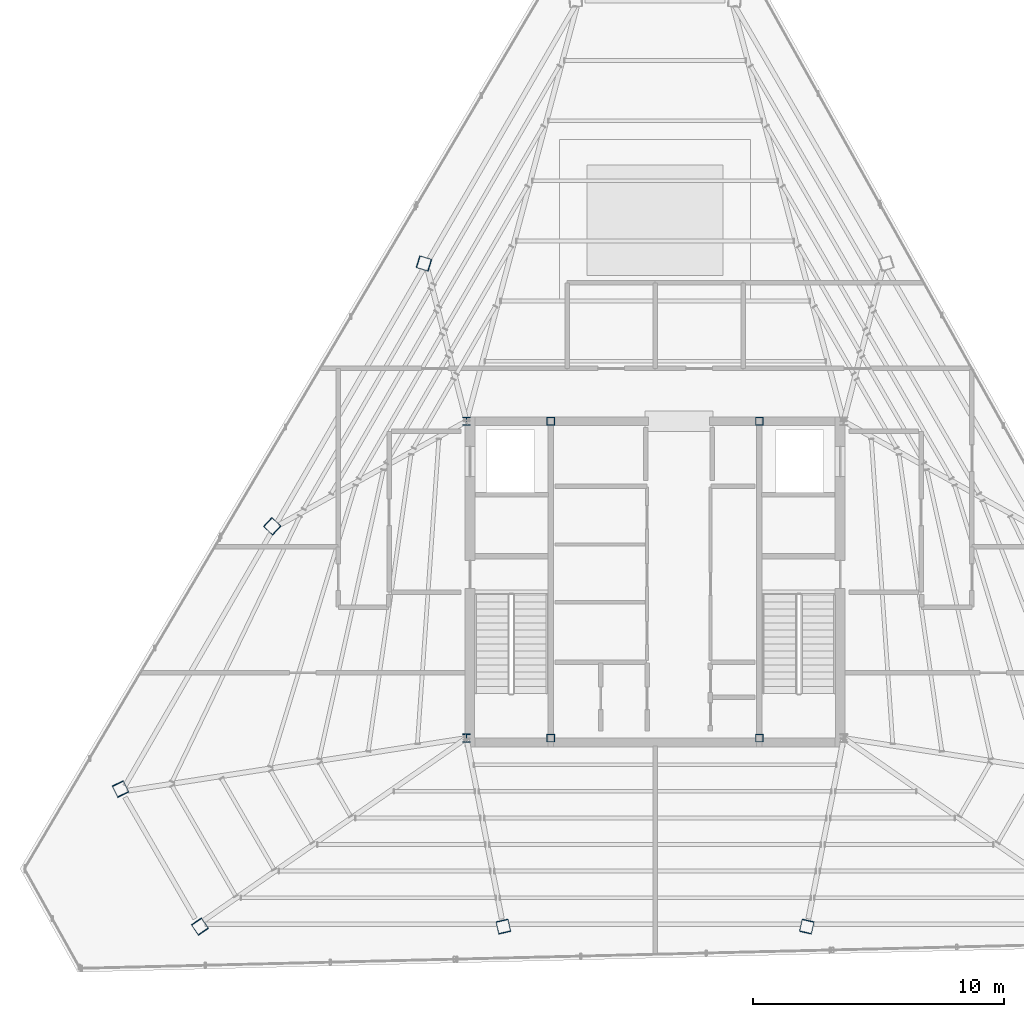
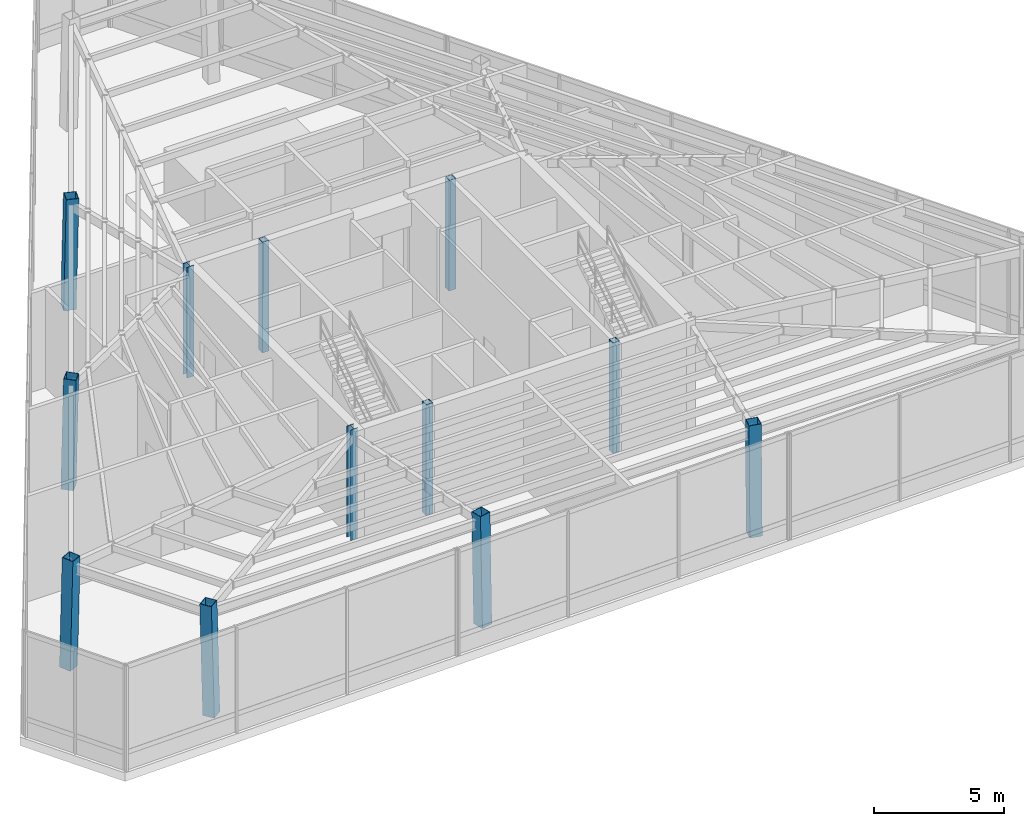
# One storey, part 1 of 25: 12 columns.
"""IFC4 building model written with IfcOpenShell, lengths in metres."""

from ifc_helpers import new_model, si_unit, direction, frame, origin, origin_2d, place, context, subcontext, project, spatial, hollow_rectangle, i_section, extrude, source, transform, mapped, material, material_profile, profile_set, type_object, type_shapes, element, save


model = new_model("IFC4")

# Units and contexts
model_context = context("Model", 3, precision=1e-05, world=origin(), true_north=direction((0.0, 1.0)))
body_context = subcontext(model_context, "Body", "Model", "MODEL_VIEW")
ifc_project = project(units=[si_unit("LENGTHUNIT", "METRE"), si_unit("AREAUNIT", "SQUARE_METRE"), si_unit("VOLUMEUNIT", "CUBIC_METRE"), si_unit("PLANEANGLEUNIT", "RADIAN"), si_unit("MASSUNIT", "GRAM", prefix="KILO")], contexts=[model_context])

# Site, building, storey
site_placement = place(None, origin())
site = spatial("IfcSite", under=ifc_project, at=site_placement, CompositionType="ELEMENT")
building_placement = place(site_placement, origin())
building = spatial("IfcBuilding", under=site, at=building_placement, Name="Caelisora Broadcast Tower", CompositionType="ELEMENT")
storey_placement = place(building_placement, frame((0.0, 0.0, 284.60009765625)))
storey = spatial("IfcBuildingStorey", under=building, at=storey_placement, Name="L75", CompositionType="ELEMENT", Elevation=284.60009765625)

# Columns
ifc_material_1 = material(Name="Steel Grade 350 (AS/NZS 3679.1)", Category="steel")
ifc_material_profile_1 = material_profile(ifc_material_1, i_section(OverallWidth=0.31103515625, OverallDepth=0.3271484375, WebThickness=0.015625, FlangeThickness=0.02490234375, at=origin_2d()), Name="Steel Grade 350 (AS/NZS 3679.1)")
ifc_profile_set_1 = profile_set([ifc_material_profile_1], Name="Steel Grade 350 (AS/NZS 3679.1)")
column_type_1 = type_object("IfcColumnType", Name="CC03", PredefinedType="COLUMN", material=ifc_profile_set_1)
shared_shape_1 = source(origin(), body_context, "Body", "SweptSolid", [
    extrude(i_section(OverallWidth=0.31103515625, OverallDepth=0.3271484375, WebThickness=0.015625, FlangeThickness=0.02490234375, at=origin_2d()), origin(), (0.0, 0.0, 1.0), 5.199951171875),
])
type_shapes(column_type_1, [shared_shape_1])
for number, where, z_axis, x_axis, name in (
    (1, (30.5, 17.39990234375, 0.0), (0.0, 0.0, 1.0), (1.0, 0.0, 0.0), "L75 column CC03"),
    (2, (30.5, 30.0, 0.0), (0.0, 0.0, 1.0), (1.0, 0.0, 0.0), "L75 column CC03"),
):
    element("IfcColumn", number, at=place(storey_placement, frame(where, z_axis=z_axis, x_axis=x_axis)), inside=storey, type_object=column_type_1, Name=name, PredefinedType="COLUMN", context=body_context, shape_type="MappedRepresentation", body=[
        mapped(shared_shape_1, transform((0.0, 0.0, 0.0), scale=1.0)),
    ])
ifc_material_2 = material(Name="Steel Grade 350 (AS/NZS 1163 C350L0)", Category="steel")
ifc_material_profile_2 = material_profile(ifc_material_2, hollow_rectangle(XDim=0.300048828125, YDim=0.300048828125, WallThickness=0.012451171875, at=origin_2d()), Name="Steel Grade 350 (AS/NZS 1163 C350L0)")
ifc_profile_set_2 = profile_set([ifc_material_profile_2], Name="Steel Grade 350 (AS/NZS 1163 C350L0)")
column_type_2 = type_object("IfcColumnType", Name="CC08", PredefinedType="COLUMN", material=ifc_profile_set_2)
shared_shape_2 = source(origin(), body_context, "Body", "SweptSolid", [
    extrude(hollow_rectangle(XDim=0.300048828125, YDim=0.300048828125, WallThickness=0.012451171875, at=origin_2d()), origin(), (0.0, 0.0, 1.0), 5.199951171875),
])
type_shapes(column_type_2, [shared_shape_2])
for number, where, z_axis, x_axis, name in (
    (3, (33.85009765625, 17.39990234375, 0.0), (0.0, 0.0, 1.0), (1.0, 0.0, 0.0), "L75 column CC08"),
    (4, (42.14990234375, 17.39990234375, 0.0), (0.0, 0.0, 1.0), (1.0, 0.0, 0.0), "L75 column CC08"),
    (5, (33.85009765625, 30.0, 0.0), (0.0, 0.0, 1.0), (1.0, 0.0, 0.0), "L75 column CC08"),
    (6, (42.14990234375, 30.0, 0.0), (0.0, 0.0, 1.0), (1.0, 0.0, 0.0), "L75 column CC08"),
):
    element("IfcColumn", number, at=place(storey_placement, frame(where, z_axis=z_axis, x_axis=x_axis)), inside=storey, type_object=column_type_2, Name=name, PredefinedType="COLUMN", context=body_context, shape_type="MappedRepresentation", body=[
        mapped(shared_shape_2, transform((0.0, 0.0, 0.0), scale=1.0)),
    ])
ifc_material_3 = material(Name="Steel Grade 350 L15 (AS/NZS 3678)", Category="steel")
ifc_material_profile_3 = material_profile(ifc_material_3, hollow_rectangle(XDim=0.5, YDim=0.5, WallThickness=0.02001953125, at=origin_2d()), Name="Steel Grade 350 L15 (AS/NZS 3678)")
ifc_profile_set_3 = profile_set([ifc_material_profile_3], Name="Steel Grade 350 L15 (AS/NZS 3678)")
column_type_3 = type_object("IfcColumnType", Name="MC07", PredefinedType="COLUMN", material=ifc_profile_set_3)
shared_shape_3 = source(origin(), body_context, "Body", "SweptSolid", [
    extrude(hollow_rectangle(XDim=0.5, YDim=0.5, WallThickness=0.02001953125, at=origin_2d()), origin(), (0.0, 0.0, 1.0), 5.201416015625),
])
for number, where, z_axis, x_axis, name in (
    (7, (16.73388671875, 15.38525390625, 0.0), (0.010420028806, -0.021591050678, 0.999712583461), (0.900604493163, 0.434639559744, 0.0), "L75 column MC07"),
    (8, (19.906494140625, 9.890380859375, 0.0), (-0.013517873063, 0.019807439002, 0.999712424884), (-0.825978804596, -0.5637011747, 0.0), "L75 column MC07"),
):
    element("IfcColumn", number, at=place(storey_placement, frame(where, z_axis=z_axis, x_axis=x_axis)), inside=storey, type_object=column_type_3, Name=name, PredefinedType="COLUMN", context=body_context, shape_type="MappedRepresentation", body=[
        mapped(shared_shape_3, transform((0.0, 0.0, 0.0), scale=1.0)),
    ])
shared_shape_4 = source(origin(), body_context, "Body", "SweptSolid", [
    extrude(hollow_rectangle(XDim=0.5, YDim=0.5, WallThickness=0.02001953125, at=origin_2d()), origin(), (0.0, 0.0, 1.0), 5.200927734375),
])
type_shapes(column_type_3, [shared_shape_3, shared_shape_4])
for number, where, z_axis, x_axis, name in (
    (9, (28.79638671875, 36.27783203125, 0.0), (0.019386587418, -0.006008433873, 0.999794008259), (0.296035470297, 0.955176947129, 0.0), "L75 column MC07"),
    (10, (22.76513671875, 25.83154296875, 0.0), (0.014927202574, -0.013753680359, 0.999793986229), (0.677607449893, 0.735423785208, 0.0), "L75 column MC07"),
    (11, (31.96875, 9.890380859375, 0.0), (-0.004506323682, 0.019809047851, 0.99979362604), (-0.97508743978, -0.221820839381, 0.0), "L75 column MC07"),
    (12, (44.03125, 9.890380859375, 0.0), (0.004506323682, 0.019809047851, 0.99979362604), (-0.97508743978, 0.221820839381, 0.0), "L75 column MC07"),
):
    element("IfcColumn", number, at=place(storey_placement, frame(where, z_axis=z_axis, x_axis=x_axis)), inside=storey, type_object=column_type_3, Name=name, PredefinedType="COLUMN", context=body_context, shape_type="MappedRepresentation", body=[
        mapped(shared_shape_4, transform((0.0, 0.0, 0.0), scale=1.0)),
    ])

save(model, "model.ifc")
